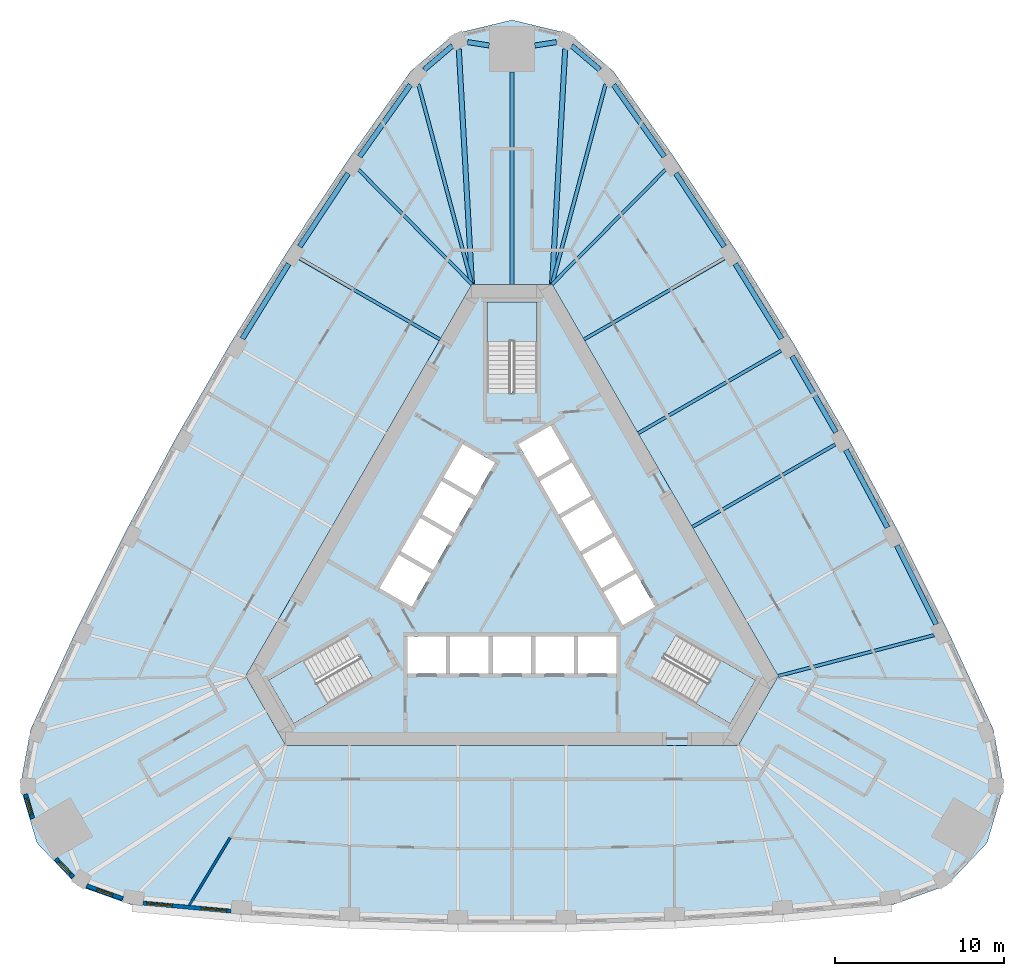
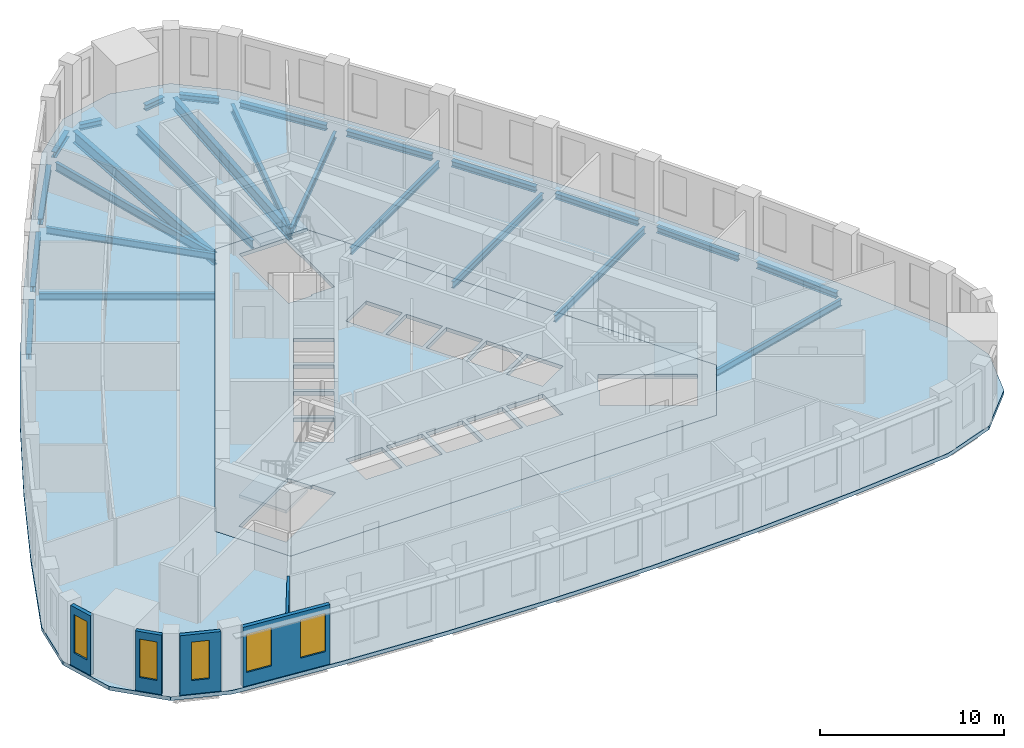
# One storey, part 2 of 10: 25 beams, 5 slabs, 5 walls, 5 windows, 5 openings, 3 elements without a shape of their own.
"""IFC4 building model written with IfcOpenShell, lengths in metres."""

from ifc_helpers import new_model, si_unit, direction, frame, frame_2d, origin, origin_2d, place, context, subcontext, project, spatial, polyline, rectangle, i_section, outline, extrude, material, layer, layer_set, material_profile, profile_set, type_object, element, fill, aggregate, save


model = new_model("IFC4")

# Units and contexts
model_context = context("Model", 3, precision=1e-05, world=origin(), true_north=direction((0.0, 1.0)))
body_context = subcontext(model_context, "Body", "Model", "MODEL_VIEW")
ifc_project = project(units=[si_unit("LENGTHUNIT", "METRE"), si_unit("AREAUNIT", "SQUARE_METRE"), si_unit("VOLUMEUNIT", "CUBIC_METRE"), si_unit("PLANEANGLEUNIT", "RADIAN"), si_unit("MASSUNIT", "GRAM", prefix="KILO")], contexts=[model_context])

# Site, building, storey
site_placement = place(None, origin())
site = spatial("IfcSite", under=ifc_project, at=site_placement, CompositionType="ELEMENT")
building_placement = place(site_placement, origin())
building = spatial("IfcBuilding", under=site, at=building_placement, Name="Mestral Congress Tower", CompositionType="ELEMENT")
storey_placement = place(building_placement, frame((0.0, 0.0, 158.39990234375)))
storey = spatial("IfcBuildingStorey", under=building, at=storey_placement, Name="L37", CompositionType="ELEMENT", Elevation=158.39990234375)

# Beams
ifc_material_1 = material(Name="Steel S355", Category="steel")
ifc_material_profile_1 = material_profile(ifc_material_1, i_section(OverallWidth=0.300048828125, OverallDepth=0.800048828125, WebThickness=0.017578125, FlangeThickness=0.032958984375, FilletRadius=0.030029296875, at=origin_2d()), Name="HEB 800")
ifc_profile_set_1 = profile_set([ifc_material_profile_1], Name="Steel S355")
beam_type_1 = type_object("IfcBeamType", Name="Floor beam HEB 800 S355", PredefinedType="BEAM", material=ifc_profile_set_1)
for number, where, z_axis, x_axis, name in (
    (1, (3.143798828125, 30.703857421875, -0.64990234375), (-0.055769084972, -0.998443693536, 0.0), (0.998443693536, -0.055769084972, 0.0), "BM-L37-RB3-N1"),
    (2, (-3.143798828125, 30.703857421875, -0.64990234375), (0.055769084972, -0.998443693536, 0.0), (0.998443693536, 0.055769084972, 0.0), "BM-L37-RB3-N3"),
):
    element("IfcBeam", number, at=place(storey_placement, frame(where, z_axis=z_axis, x_axis=x_axis)), inside=storey, type_object=beam_type_1, Name=name, PredefinedType="BEAM", context=body_context, shape_type="SweptSolid", body=[
        extrude(i_section(OverallWidth=0.300048828125, OverallDepth=0.800048828125, WebThickness=0.017578125, FlangeThickness=0.032958984375, FilletRadius=0.030029296875, at=origin_2d()), origin(), (0.0, 0.0, 1.0), 13.925537109375),
    ])
ifc_material_profile_2 = material_profile(ifc_material_1, i_section(OverallWidth=0.18994140625, OverallDepth=0.449951171875, WebThickness=0.009521484375, FlangeThickness=0.0146484375, FilletRadius=0.02099609375, at=origin_2d()), Name="IPE 450")
ifc_profile_set_2 = profile_set([ifc_material_profile_2], Name="Steel S355")
beam_type_2 = type_object("IfcBeamType", Name="Floor beam IPE 450 S355", PredefinedType="BEAM", material=ifc_profile_set_2)
beam_1_placement = place(storey_placement, frame((24.938232421875, -3.93505859375, -0.474853515625), z_axis=(-0.967265999603, -0.253764627187, 0.0), x_axis=(0.253764627187, -0.967265999603, 0.0)))
element("IfcBeam", 3, at=beam_1_placement, inside=storey, type_object=beam_type_2, Name="BM-L37-RB3-E01", PredefinedType="BEAM", context=body_context, shape_type="SweptSolid", body=[
    extrude(i_section(OverallWidth=0.18994140625, OverallDepth=0.449951171875, WebThickness=0.009521484375, FlangeThickness=0.0146484375, FilletRadius=0.02099609375, at=origin_2d()), origin(), (0.0, 0.0, 1.0), 9.516845703125),
])
beam_2_placement = place(storey_placement, frame((19.100830078125, 7.332763671875, -0.474853515625), z_axis=(-0.866036015824, -0.499981618958, 0.0), x_axis=(0.499981618958, -0.866036015824, 0.0)))
element("IfcBeam", 4, at=beam_2_placement, inside=storey, type_object=beam_type_2, Name="BM-L37-RB3-E03", PredefinedType="BEAM", context=body_context, shape_type="SweptSolid", body=[
    extrude(i_section(OverallWidth=0.18994140625, OverallDepth=0.449951171875, WebThickness=0.009521484375, FlangeThickness=0.0146484375, FilletRadius=0.02099609375, at=origin_2d()), origin(), (0.0, 0.0, 1.0), 9.758056640625),
])
beam_3_placement = place(storey_placement, frame((15.90087890625, 12.875244140625, -0.474853515625), z_axis=(-0.866025182435, -0.500000383388, 0.0), x_axis=(0.500000383388, -0.866025182435, 0.0)))
element("IfcBeam", 5, at=beam_3_placement, inside=storey, type_object=beam_type_2, Name="BM-L37-RB3-E04", PredefinedType="BEAM", context=body_context, shape_type="SweptSolid", body=[
    extrude(i_section(OverallWidth=0.18994140625, OverallDepth=0.449951171875, WebThickness=0.009521484375, FlangeThickness=0.0146484375, FilletRadius=0.02099609375, at=origin_2d()), origin(), (0.0, 0.0, 1.0), 9.75830078125),
])
beam_4_placement = place(storey_placement, frame((12.532958984375, 18.317138671875, -0.474853515625), z_axis=(-0.866022320763, -0.500005339912, 0.0), x_axis=(0.500005339912, -0.866022320763, 0.0)))
element("IfcBeam", 6, at=beam_4_placement, inside=storey, type_object=beam_type_2, Name="BM-L37-RB3-E05", PredefinedType="BEAM", context=body_context, shape_type="SweptSolid", body=[
    extrude(i_section(OverallWidth=0.18994140625, OverallDepth=0.449951171875, WebThickness=0.009521484375, FlangeThickness=0.0146484375, FilletRadius=0.02099609375, at=origin_2d()), origin(), (0.0, 0.0, 1.0), 9.5625),
])
for number, where, z_axis, x_axis, name in (
    (7, (9.06103515625, 23.564697265625, -0.474853515625), (-0.703377189025, -0.710816804781, 0.0), (0.710816804781, -0.703377189025, 0.0), "BM-L37-RB3-E06"),
    (8, (-9.06103515625, 23.564697265625, -0.474853515625), (0.703377189025, -0.710816804781, 0.0), (0.710816804781, 0.703377189025, 0.0), "BM-L37-RB3-W01"),
):
    element("IfcBeam", number, at=place(storey_placement, frame(where, z_axis=z_axis, x_axis=x_axis)), inside=storey, type_object=beam_type_2, Name=name, PredefinedType="BEAM", context=body_context, shape_type="SweptSolid", body=[
        extrude(i_section(OverallWidth=0.18994140625, OverallDepth=0.449951171875, WebThickness=0.009521484375, FlangeThickness=0.0146484375, FilletRadius=0.02099609375, at=origin_2d()), origin(), (0.0, 0.0, 1.0), 9.516845703125),
    ])
beam_5_placement = place(storey_placement, frame((-12.532958984375, 18.317138671875, -0.474853515625), z_axis=(0.866022320763, -0.500005339912, 0.0), x_axis=(0.500005339912, 0.866022320763, 0.0)))
element("IfcBeam", 9, at=beam_5_placement, inside=storey, type_object=beam_type_2, Name="BM-L37-RB3-W02", PredefinedType="BEAM", context=body_context, shape_type="SweptSolid", body=[
    extrude(i_section(OverallWidth=0.18994140625, OverallDepth=0.449951171875, WebThickness=0.009521484375, FlangeThickness=0.0146484375, FilletRadius=0.02099609375, at=origin_2d()), origin(), (0.0, 0.0, 1.0), 9.5625),
])
ifc_material_profile_3 = material_profile(ifc_material_1, i_section(OverallWidth=0.2099609375, OverallDepth=0.550048828125, WebThickness=0.010986328125, FlangeThickness=0.01708984375, FilletRadius=0.02392578125, at=origin_2d()), Name="IPE 550")
ifc_profile_set_3 = profile_set([ifc_material_profile_3], Name="Steel S355")
beam_type_3 = type_object("IfcBeamType", Name="Floor beam IPE 550 S355", PredefinedType="BEAM", material=ifc_profile_set_3)
beam_6_placement = place(storey_placement, frame((5.5283203125, 28.609375, -0.52490234375), z_axis=(-0.258577363905, -0.965990552167, 0.0), x_axis=(0.965990552167, -0.258577363905, 0.0)))
element("IfcBeam", 10, at=beam_6_placement, inside=storey, type_object=beam_type_3, Name="BM-L37-RB3-E07", PredefinedType="BEAM", context=body_context, shape_type="SweptSolid", body=[
    extrude(i_section(OverallWidth=0.2099609375, OverallDepth=0.550048828125, WebThickness=0.010986328125, FlangeThickness=0.01708984375, FilletRadius=0.02392578125, at=origin_2d()), origin(), (0.0, 0.0, 1.0), 12.22509765625),
])
beam_7_placement = place(storey_placement, frame((0.0, 29.354248046875, -0.52490234375), z_axis=(0.0, -1.0, 0.0), x_axis=(1.0, 0.0, 0.0)))
element("IfcBeam", 11, at=beam_7_placement, inside=storey, type_object=beam_type_3, Name="BM-L37-RB3-N", PredefinedType="BEAM", context=body_context, shape_type="SweptSolid", body=[
    extrude(i_section(OverallWidth=0.2099609375, OverallDepth=0.550048828125, WebThickness=0.010986328125, FlangeThickness=0.01708984375, FilletRadius=0.02392578125, at=origin_2d()), origin(), (0.0, 0.0, 1.0), 12.55419921875),
])
beam_8_placement = place(storey_placement, frame((-5.5283203125, 28.609375, -0.52490234375), z_axis=(0.258577363905, -0.965990552167, 0.0), x_axis=(0.965990552167, 0.258577363905, 0.0)))
element("IfcBeam", 12, at=beam_8_placement, inside=storey, type_object=beam_type_3, Name="BM-L37-RB3-W00", PredefinedType="BEAM", context=body_context, shape_type="SweptSolid", body=[
    extrude(i_section(OverallWidth=0.2099609375, OverallDepth=0.550048828125, WebThickness=0.010986328125, FlangeThickness=0.01708984375, FilletRadius=0.02392578125, at=origin_2d()), origin(), (0.0, 0.0, 1.0), 12.22509765625),
])
ifc_material_profile_4 = material_profile(ifc_material_1, i_section(OverallWidth=0.300048828125, OverallDepth=0.389892578125, WebThickness=0.010986328125, FlangeThickness=0.01904296875, FilletRadius=0.027099609375, at=origin_2d()), Name="HEA 400")
ifc_profile_set_4 = profile_set([ifc_material_profile_4], Name="Steel S355")
beam_type_4 = type_object("IfcBeamType", Name="Spandrel beam HEA 400 S355", PredefinedType="BEAM", material=ifc_profile_set_4)
beam_9_placement = place(storey_placement, frame((25.064453125, -3.294677734375, -0.44482421875), z_axis=(-0.446255467462, 0.894905613884, 0.0), x_axis=(-0.894905613884, -0.446255467462, 0.0)))
element("IfcBeam", 13, at=beam_9_placement, inside=storey, type_object=beam_type_4, Name="SP-L37-SB3-E01", PredefinedType="BEAM", context=body_context, shape_type="SweptSolid", body=[
    extrude(i_section(OverallWidth=0.300048828125, OverallDepth=0.389892578125, WebThickness=0.010986328125, FlangeThickness=0.01904296875, FilletRadius=0.027099609375, at=origin_2d()), origin(), (0.0, 0.0, 1.0), 5.199462890625),
])
for number, where, z_axis, x_axis, name in (
    (14, (22.1923828125, 2.424072265625, -0.44482421875), (-0.473332458078, 0.880883865291, 0.0), (-0.880883865291, -0.473332458078, 0.0), "SP-L37-SB3-E02"),
    (15, (19.147216796875, 8.052490234375, -0.44482421875), (-0.499992051641, 0.866029992723, 0.0), (-0.866029992723, -0.499992051641, 0.0), "SP-L37-SB3-E03"),
):
    element("IfcBeam", number, at=place(storey_placement, frame(where, z_axis=z_axis, x_axis=x_axis)), inside=storey, type_object=beam_type_4, Name=name, PredefinedType="BEAM", context=body_context, shape_type="SweptSolid", body=[
        extrude(i_section(OverallWidth=0.300048828125, OverallDepth=0.389892578125, WebThickness=0.010986328125, FlangeThickness=0.01904296875, FilletRadius=0.027099609375, at=origin_2d()), origin(), (0.0, 0.0, 1.0), 5.19970703125),
    ])
for number, where, z_axis, x_axis, name in (
    (16, (15.931640625, 13.585693359375, -0.44482421875), (-0.526220441006, 0.8503481919, 0.0), (-0.8503481919, -0.526220441006, 0.0), "SP-L37-SB3-E04"),
    (17, (12.548583984375, 19.017822265625, -0.44482421875), (-0.551901475275, 0.833909324561, 0.0), (-0.833909324561, -0.551901475275, 0.0), "SP-L37-SB3-E05"),
):
    element("IfcBeam", number, at=place(storey_placement, frame(where, z_axis=z_axis, x_axis=x_axis)), inside=storey, type_object=beam_type_4, Name=name, PredefinedType="BEAM", context=body_context, shape_type="SweptSolid", body=[
        extrude(i_section(OverallWidth=0.300048828125, OverallDepth=0.389892578125, WebThickness=0.010986328125, FlangeThickness=0.01904296875, FilletRadius=0.027099609375, at=origin_2d()), origin(), (0.0, 0.0, 1.0), 5.199462890625),
    ])
beam_10_placement = place(storey_placement, frame((9.00146484375, 24.34423828125, -0.44482421875), z_axis=(-0.577107284947, 0.816668342512, 0.0), x_axis=(-0.816668342512, -0.577107284947, 0.0)))
element("IfcBeam", 18, at=beam_10_placement, inside=storey, type_object=beam_type_4, Name="SP-L37-SB3-E06", PredefinedType="BEAM", context=body_context, shape_type="SweptSolid", body=[
    extrude(i_section(OverallWidth=0.300048828125, OverallDepth=0.389892578125, WebThickness=0.010986328125, FlangeThickness=0.01904296875, FilletRadius=0.027099609375, at=origin_2d()), origin(), (0.0, 0.0, 1.0), 5.197509765625),
])
beam_11_placement = place(storey_placement, frame((5.191162109375, 29.47509765625, -0.44482421875), z_axis=(-0.761471479234, 0.648198415852, 0.0), x_axis=(-0.648198415852, -0.761471479234, 0.0)))
element("IfcBeam", 19, at=beam_11_placement, inside=storey, type_object=beam_type_4, Name="SP-L37-SB3-E07", PredefinedType="BEAM", context=body_context, shape_type="SweptSolid", body=[
    extrude(i_section(OverallWidth=0.300048828125, OverallDepth=0.389892578125, WebThickness=0.010986328125, FlangeThickness=0.01904296875, FilletRadius=0.027099609375, at=origin_2d()), origin(), (0.0, 0.0, 1.0), 2.189697265625),
])
for number, where, z_axis, x_axis, name in (
    (20, (2.62353515625, 31.10986328125, -0.44482421875), (-0.988242111203, -0.152897121116, 0.0), (0.152897121116, -0.988242111203, 0.0), "SP-L37-SB3-N1"),
    (21, (-1.35009765625, 30.912841796875, -0.44482421875), (-0.988242111203, 0.152897121116, 0.0), (-0.152897121116, -0.988242111203, 0.0), "SP-L37-SB3-N"),
):
    element("IfcBeam", number, at=place(storey_placement, frame(where, z_axis=z_axis, x_axis=x_axis)), inside=storey, type_object=beam_type_4, Name=name, PredefinedType="BEAM", context=body_context, shape_type="SweptSolid", body=[
        extrude(i_section(OverallWidth=0.300048828125, OverallDepth=0.389892578125, WebThickness=0.010986328125, FlangeThickness=0.01904296875, FilletRadius=0.027099609375, at=origin_2d()), origin(), (0.0, 0.0, 1.0), 1.28857421875),
    ])
beam_12_placement = place(storey_placement, frame((-3.523681640625, 30.89453125, -0.44482421875), z_axis=(-0.761471479234, -0.648198415852, 0.0), x_axis=(0.648198415852, -0.761471479234, 0.0)))
element("IfcBeam", 22, at=beam_12_placement, inside=storey, type_object=beam_type_4, Name="SP-L37-SB3-N3", PredefinedType="BEAM", context=body_context, shape_type="SweptSolid", body=[
    extrude(i_section(OverallWidth=0.300048828125, OverallDepth=0.389892578125, WebThickness=0.010986328125, FlangeThickness=0.01904296875, FilletRadius=0.027099609375, at=origin_2d()), origin(), (0.0, 0.0, 1.0), 2.189697265625),
])
beam_13_placement = place(storey_placement, frame((-6.001953125, 28.5888671875, -0.44482421875), z_axis=(-0.577107284947, -0.816668342512, 0.0), x_axis=(0.816668342512, -0.577107284947, 0.0)))
element("IfcBeam", 23, at=beam_13_placement, inside=storey, type_object=beam_type_4, Name="SP-L37-SB3-W00", PredefinedType="BEAM", context=body_context, shape_type="SweptSolid", body=[
    extrude(i_section(OverallWidth=0.300048828125, OverallDepth=0.389892578125, WebThickness=0.010986328125, FlangeThickness=0.01904296875, FilletRadius=0.027099609375, at=origin_2d()), origin(), (0.0, 0.0, 1.0), 5.197509765625),
])
for number, where, z_axis, x_axis, name in (
    (24, (-9.678955078125, 23.353759765625, -0.44482421875), (-0.551901475275, -0.833909324561, 0.0), (0.833909324561, -0.551901475275, 0.0), "SP-L37-SB3-W01"),
    (25, (-13.195556640625, 18.007080078125, -0.44482421875), (-0.526220441006, -0.8503481919, 0.0), (0.8503481919, -0.526220441006, 0.0), "SP-L37-SB3-W02"),
):
    element("IfcBeam", number, at=place(storey_placement, frame(where, z_axis=z_axis, x_axis=x_axis)), inside=storey, type_object=beam_type_4, Name=name, PredefinedType="BEAM", context=body_context, shape_type="SweptSolid", body=[
        extrude(i_section(OverallWidth=0.300048828125, OverallDepth=0.389892578125, WebThickness=0.010986328125, FlangeThickness=0.01904296875, FilletRadius=0.027099609375, at=origin_2d()), origin(), (0.0, 0.0, 1.0), 5.199462890625),
    ])

# Slabs
ifc_material_2 = material(Name="Concrete C35/45", Category="concrete")
ifc_layer_1 = layer(ifc_material_2, 0.25)
ifc_layer_set_1 = layer_set([ifc_layer_1], Name="Concrete C35/45")
slab_type_1 = type_object("IfcSlabType", Name="Composite floor slab 250", PredefinedType="FLOOR", material=ifc_layer_set_1)
placement_1 = place(storey_placement, frame((0.0, 0.0, -0.25)))
element("IfcSlab", 26, at=placement_1, inside=storey, type_object=slab_type_1, Name="SL-L37", PredefinedType="FLOOR", context=body_context, shape_type="SweptSolid", body=[
    extrude(outline(polyline([(-22.455078125, -19.880126953125), (-25.68212890625, -18.731689453125), (-28.073974609375, -16.20849609375), (-29.06298828125, -12.87548828125), (-28.444091796875, -9.506591796875), (-25.73779296875, -3.63720703125), (-22.8759765625, 2.1025390625), (-19.84033203125, 7.751953125), (-16.633544921875, 13.30615234375), (-13.2587890625, 18.760009765625), (-9.71923828125, 24.1083984375), (-5.9892578125, 29.38671875), (-3.381103515625, 31.607177734375), (0.0, 32.4169921875), (3.381103515625, 31.607177734375), (5.9892578125, 29.38671875), (9.71923828125, 24.1083984375), (13.2587890625, 18.760009765625), (16.633544921875, 13.30615234375), (19.84033203125, 7.751953125), (22.8759765625, 2.1025390625), (25.73779296875, -3.63720703125), (28.444091796875, -9.506591796875), (29.06298828125, -12.87548828125), (28.073974609375, -16.20849609375), (25.68212890625, -18.731689453125), (22.455078125, -19.880126953125), (16.018798828125, -20.47119140625), (9.6171875, -20.862548828125), (3.206787109375, -21.05810546875), (-3.206787109375, -21.05810546875), (-9.6171875, -20.862548828125), (-16.018798828125, -20.47119140625), (-22.455078125, -19.880126953125)]), holes=[polyline([(-2.3671875, 16.800048828125), (-15.73291015625, -6.35009765625), (-13.36572265625, -10.449951171875), (13.36572265625, -10.449951171875), (15.73291015625, -6.35009765625), (2.3671875, 16.800048828125), (-2.3671875, 16.800048828125)])]), origin(), (0.0, 0.0, 1.0), 0.25),
])
ifc_material_3 = material(Name="Concrete C60/75", Category="concrete")
ifc_layer_2 = layer(ifc_material_3, 0.25)
ifc_layer_set_2 = layer_set([ifc_layer_2], Name="Concrete C60/75")
slab_type_2 = type_object("IfcSlabType", Name="Core floor slab RC 250", PredefinedType="FLOOR", material=ifc_layer_set_2)
element("IfcSlab", 27, at=placement_1, inside=storey, type_object=slab_type_2, Name="L37 core floor", PredefinedType="FLOOR", context=body_context, shape_type="SweptSolid", body=[
    extrude(outline(polyline([(13.36572265625, -10.449951171875), (-13.36572265625, -10.449951171875), (-15.73291015625, -6.35009765625), (-2.3671875, 16.800048828125), (2.3671875, 16.800048828125), (15.73291015625, -6.35009765625), (13.36572265625, -10.449951171875)]), holes=[polyline([(-9.8046875, -3.95751953125), (-14.37744140625, -6.59765625), (-12.90234375, -9.15234375), (-8.234619140625, -6.45751953125), (-8.971923828125, -5.179931640625), (-9.0673828125, -5.235107421875), (-9.8046875, -3.95751953125)]), polyline([(-3.905029296875, -4.0), (-6.175048828125, -4.0), (-6.175048828125, -6.199951171875), (-3.905029296875, -6.199951171875), (-3.905029296875, -4.0)]), polyline([(-1.385009765625, -4.0), (-3.655029296875, -4.0), (-3.655029296875, -6.199951171875), (-1.385009765625, -6.199951171875), (-1.385009765625, -4.0)]), polyline([(1.135009765625, -4.0), (-1.135009765625, -4.0), (-1.135009765625, -6.199951171875), (1.135009765625, -6.199951171875), (1.135009765625, -4.0)]), polyline([(-5.921630859375, -2.256591796875), (-4.78662109375, -0.29052734375), (-6.69189453125, 0.809326171875), (-7.826904296875, -1.156494140625), (-5.921630859375, -2.256591796875)]), polyline([(-4.66162109375, -0.07421875), (-3.526611328125, 1.8916015625), (-5.431884765625, 2.99169921875), (-6.56689453125, 1.02587890625), (-4.66162109375, -0.07421875)]), polyline([(-3.401611328125, 2.1083984375), (-2.2666015625, 4.07421875), (-4.171875, 5.174072265625), (-5.306884765625, 3.208251953125), (-3.401611328125, 2.1083984375)]), polyline([(-2.1416015625, 4.29052734375), (-1.006591796875, 6.256591796875), (-2.911865234375, 7.3564453125), (-4.046875, 5.390625), (-2.1416015625, 4.29052734375)]), polyline([(1.47509765625, 10.469970703125), (1.47509765625, 15.75), (-1.47509765625, 15.75), (-1.47509765625, 10.360107421875), (0.0, 10.360107421875), (0.0, 10.469970703125), (1.47509765625, 10.469970703125)]), polyline([(8.329833984375, -6.512451171875), (12.90234375, -9.15234375), (14.37744140625, -6.59765625), (9.70947265625, -3.902587890625), (8.971923828125, -5.179931640625), (9.0673828125, -5.235107421875), (8.329833984375, -6.512451171875)]), polyline([(3.655029296875, -4.0), (1.385009765625, -4.0), (1.385009765625, -6.199951171875), (3.655029296875, -6.199951171875), (3.655029296875, -4.0)]), polyline([(6.175048828125, -4.0), (3.905029296875, -4.0), (3.905029296875, -6.199951171875), (6.175048828125, -6.199951171875), (6.175048828125, -4.0)]), polyline([(5.41650390625, -1.3818359375), (6.551513671875, -3.34765625), (8.456787109375, -2.247802734375), (7.322021484375, -0.28173828125), (5.41650390625, -1.3818359375)]), polyline([(4.156494140625, 0.800537109375), (5.29150390625, -1.165283203125), (7.197021484375, -0.065185546875), (6.06201171875, 1.900634765625), (4.156494140625, 0.800537109375)]), polyline([(2.896484375, 2.98291015625), (4.031494140625, 1.01708984375), (5.93701171875, 2.1171875), (4.802001953125, 4.0830078125), (2.896484375, 2.98291015625)]), polyline([(3.5419921875, 6.265380859375), (1.63671875, 5.165283203125), (2.771484375, 3.199462890625), (4.677001953125, 4.29931640625), (3.5419921875, 6.265380859375)]), polyline([(2.281982421875, 8.44775390625), (0.376708984375, 7.34765625), (1.51171875, 5.3818359375), (3.4169921875, 6.481689453125), (2.281982421875, 8.44775390625)])]), origin(), (0.0, 0.0, 1.0), 0.25),
])

# Stair, slab
stair_type = type_object("IfcStairType", Name="Exit stair 1400", PredefinedType="HALF_TURN_STAIR", material=ifc_material_3)
placement_2 = place(storey_placement, origin())
stair_1 = element("IfcStair", 28, at=placement_2, inside=storey, type_object=stair_type, Name="L37 ST1", PredefinedType="HALF_TURN_STAIR")
ifc_layer_3 = layer(ifc_material_3, 0.199951171875)
ifc_layer_set_3 = layer_set([ifc_layer_3], Name="Concrete C60/75")
slab_type_3 = type_object("IfcSlabType", Name="Exit stair landing 200", PredefinedType="LANDING", material=ifc_layer_set_3)
placement_3 = place(storey_placement, frame((0.0, 0.0, 1.900146484375)))
slab_3 = element("IfcSlab", 29, at=placement_3, type_object=slab_type_3, Name="ST1 landing 1", PredefinedType="LANDING", context=body_context, shape_type="SweptSolid", body=[
    extrude(outline(polyline([(10.879638671875, -7.99609375), (12.364501953125, -5.424072265625), (14.39111328125, -6.593994140625), (12.906005859375, -9.166015625), (10.879638671875, -7.99609375)])), origin(), (0.0, 0.0, 1.0), 0.199951171875),
])
aggregate(stair_1, [slab_3])

stair_2 = element("IfcStair", 30, at=placement_2, inside=storey, type_object=stair_type, Name="L37 ST2", PredefinedType="HALF_TURN_STAIR")
slab_4 = element("IfcSlab", 31, at=placement_3, type_object=slab_type_3, Name="ST2 landing 1", PredefinedType="LANDING", context=body_context, shape_type="SweptSolid", body=[
    extrude(outline(polyline([(1.485107421875, 13.419921875), (-1.485107421875, 13.419921875), (-1.485107421875, 15.760009765625), (1.485107421875, 15.760009765625), (1.485107421875, 13.419921875)])), origin(), (0.0, 0.0, 1.0), 0.199951171875),
])
aggregate(stair_2, [slab_4])

stair_3 = element("IfcStair", 32, at=placement_2, inside=storey, type_object=stair_type, Name="L37 ST3", PredefinedType="HALF_TURN_STAIR")
slab_5 = element("IfcSlab", 33, at=placement_3, type_object=slab_type_3, Name="ST3 landing 1", PredefinedType="LANDING", context=body_context, shape_type="SweptSolid", body=[
    extrude(outline(polyline([(-12.364501953125, -5.424072265625), (-10.879638671875, -7.99609375), (-12.906005859375, -9.166015625), (-14.39111328125, -6.593994140625), (-12.364501953125, -5.424072265625)])), origin(), (0.0, 0.0, 1.0), 0.199951171875),
])
aggregate(stair_3, [slab_5])

# Wall, openings, windows
ifc_material_4 = material(Name="Precast concrete C40/50 with limestone facing", Category="masonry")
ifc_layer_4 = layer(ifc_material_4, 0.239990234375)
ifc_layer_set_4 = layer_set([ifc_layer_4], Name="Precast concrete C40/50 with limestone facing")
wall_type_1 = type_object("IfcWallType", Name="Facade stone wall 240", PredefinedType="SOLIDWALL", material=ifc_layer_set_4)
wall_1_placement = place(storey_placement, frame((-21.797119140625, -19.769775390625, 0.0), z_axis=(0.0, 0.0, 1.0), x_axis=(0.995808712151, -0.091460422067, 0.0)))
wall_1 = element("IfcWall", 34, at=wall_1_placement, inside=storey, type_object=wall_type_1, Name="Facade wall F0-00", PredefinedType="SOLIDWALL", context=body_context, shape_type="SweptSolid", body=[
    extrude(rectangle(XDim=5.213134765625, YDim=0.239990234375, at=frame_2d((2.6064453125, 0.0))), origin(), (0.0, 0.0, 1.0), 3.9501953125),
])
opening_1_placement = place(wall_1_placement, frame((0.220947265625, 0.0, 0.89990234375)))
opening_1 = element("IfcOpeningElement", 35, at=opening_1_placement, cuts=wall_1, Name="Opening W4", PredefinedType="OPENING", context=body_context, shape_type="SweptSolid", body=[
    extrude(rectangle(XDim=1.5, YDim=2.550048828125, at=frame_2d((0.75, 1.27490234375))), frame((0.0, 0.1298828125, 0.0), z_axis=(0.0, -1.0, 0.0), x_axis=(1.0, 0.0, 0.0)), (0.0, 0.0, 1.0), 0.260009765625),
])
opening_2_placement = place(wall_1_placement, frame((3.452392578125, 0.0, 0.89990234375)))
opening_2 = element("IfcOpeningElement", 36, at=opening_2_placement, cuts=wall_1, Name="Opening W4", PredefinedType="OPENING", context=body_context, shape_type="SweptSolid", body=[
    extrude(rectangle(XDim=1.5, YDim=2.550048828125, at=frame_2d((0.75, 1.27490234375))), frame((0.0, 0.1298828125, 0.0), z_axis=(0.0, -1.0, 0.0), x_axis=(1.0, 0.0, 0.0)), (0.0, 0.0, 1.0), 0.260009765625),
])
ifc_material_5 = material(Name="Clear low-emissivity double glazing", Category="glass")
window_type_1 = type_object("IfcWindowType", Name="Facade punched window 1500 x 2550 sill 900", PartitioningType="SINGLE_PANEL", PredefinedType="WINDOW", material=ifc_material_5)
window_1_placement = place(opening_1_placement, origin())
window_1 = element("IfcWindow", 37, at=window_1_placement, inside=storey, type_object=window_type_1, Name="Window F0-00a", OverallHeight=2.550048828125, OverallWidth=1.5, PartitioningType="SINGLE_PANEL", PredefinedType="WINDOW", context=body_context, shape_type="SweptSolid", body=[
    extrude(rectangle(XDim=1.5, YDim=2.550048828125, at=frame_2d((0.75, 1.27490234375))), frame((0.0, 0.0400390625, 0.0), z_axis=(0.0, -1.0, 0.0), x_axis=(1.0, 0.0, 0.0)), (0.0, 0.0, 1.0), 0.06005859375),
])
fill(opening_1, window_1)
window_2_placement = place(opening_2_placement, origin())
window_2 = element("IfcWindow", 38, at=window_2_placement, inside=storey, type_object=window_type_1, Name="Window F0-00b", OverallHeight=2.550048828125, OverallWidth=1.5, PartitioningType="SINGLE_PANEL", PredefinedType="WINDOW", context=body_context, shape_type="SweptSolid", body=[
    extrude(rectangle(XDim=1.5, YDim=2.550048828125, at=frame_2d((0.75, 1.27490234375))), frame((0.0, 0.0400390625, 0.0), z_axis=(0.0, -1.0, 0.0), x_axis=(1.0, 0.0, 0.0)), (0.0, 0.0, 1.0), 0.06005859375),
])
fill(opening_2, window_2)

# Wall, opening, window
wall_2_placement = place(storey_placement, frame((-28.747802734375, -13.340087890625, 0.0), z_axis=(0.0, 0.0, 1.0), x_axis=(0.284413721403, -0.958701640281, 0.0)))
wall_2 = element("IfcWall", 39, at=wall_2_placement, inside=storey, type_object=wall_type_1, Name="Facade wall K2-1", PredefinedType="SOLIDWALL", context=body_context, shape_type="SweptSolid", body=[
    extrude(rectangle(XDim=1.481689453125, YDim=0.239990234375, at=frame_2d((0.74072265625, 0.0))), origin(), (0.0, 0.0, 1.0), 3.9501953125),
])
opening_3_placement = place(wall_2_placement, frame((0.24072265625, 0.0, 0.89990234375)))
opening_3 = element("IfcOpeningElement", 40, at=opening_3_placement, cuts=wall_2, Name="Opening W5", PredefinedType="OPENING", context=body_context, shape_type="SweptSolid", body=[
    extrude(rectangle(XDim=1.0, YDim=2.550048828125, at=frame_2d((0.5, 1.27490234375))), frame((0.0, 0.1298828125, 0.0), z_axis=(0.0, -1.0, 0.0), x_axis=(1.0, 0.0, 0.0)), (0.0, 0.0, 1.0), 0.260009765625),
])
window_type_2 = type_object("IfcWindowType", Name="Facade punched window 1000 x 2550 sill 900", PartitioningType="SINGLE_PANEL", PredefinedType="WINDOW", material=ifc_material_5)
window_3_placement = place(opening_3_placement, origin())
window_3 = element("IfcWindow", 41, at=window_3_placement, inside=storey, type_object=window_type_2, Name="Window K2-1", OverallHeight=2.550048828125, OverallWidth=1.0, PartitioningType="SINGLE_PANEL", PredefinedType="WINDOW", context=body_context, shape_type="SweptSolid", body=[
    extrude(rectangle(XDim=1.0, YDim=2.550048828125, at=frame_2d((0.5, 1.27490234375))), frame((0.0, 0.0400390625, 0.0), z_axis=(0.0, -1.0, 0.0), x_axis=(1.0, 0.0, 0.0)), (0.0, 0.0, 1.0), 0.06005859375),
])
fill(opening_3, window_3)

wall_3_placement = place(storey_placement, frame((-26.946044921875, -17.151123046875, 0.0), z_axis=(0.0, 0.0, 1.0), x_axis=(0.687986858937, -0.725723144133, 0.0)))
wall_3 = element("IfcWall", 42, at=wall_3_placement, inside=storey, type_object=wall_type_1, Name="Facade wall K2-2", PredefinedType="SOLIDWALL", context=body_context, shape_type="SweptSolid", body=[
    extrude(rectangle(XDim=1.4814453125, YDim=0.239990234375, at=frame_2d((0.74072265625, 0.0))), origin(), (0.0, 0.0, 1.0), 3.9501953125),
])
opening_4_placement = place(wall_3_placement, frame((0.24072265625, 0.0, 0.89990234375)))
opening_4 = element("IfcOpeningElement", 43, at=opening_4_placement, cuts=wall_3, Name="Opening W5", PredefinedType="OPENING", context=body_context, shape_type="SweptSolid", body=[
    extrude(rectangle(XDim=1.0, YDim=2.550048828125, at=frame_2d((0.5, 1.27490234375))), frame((0.0, 0.1298828125, 0.0), z_axis=(0.0, -1.0, 0.0), x_axis=(1.0, 0.0, 0.0)), (0.0, 0.0, 1.0), 0.260009765625),
])
window_4_placement = place(opening_4_placement, origin())
window_4 = element("IfcWindow", 44, at=window_4_placement, inside=storey, type_object=window_type_2, Name="Window K2-2", OverallHeight=2.550048828125, OverallWidth=1.0, PartitioningType="SINGLE_PANEL", PredefinedType="WINDOW", context=body_context, shape_type="SweptSolid", body=[
    extrude(rectangle(XDim=1.0, YDim=2.550048828125, at=frame_2d((0.5, 1.27490234375))), frame((0.0, 0.0400390625, 0.0), z_axis=(0.0, -1.0, 0.0), x_axis=(1.0, 0.0, 0.0)), (0.0, 0.0, 1.0), 0.06005859375),
])
fill(opening_4, window_4)

wall_4_placement = place(storey_placement, frame((-25.12109375, -18.750732421875, 0.0), z_axis=(0.0, 0.0, 1.0), x_axis=(0.942099727267, -0.335332825539, 0.0)))
wall_4 = element("IfcWall", 45, at=wall_4_placement, inside=storey, type_object=wall_type_1, Name="Facade wall K2-3", PredefinedType="SOLIDWALL", context=body_context, shape_type="SweptSolid", body=[
    extrude(rectangle(XDim=2.25048828125, YDim=0.239990234375, at=frame_2d((1.125244140625, 0.0))), origin(), (0.0, 0.0, 1.0), 3.9501953125),
])
opening_5_placement = place(wall_4_placement, frame((0.625244140625, 0.0, 0.89990234375)))
opening_5 = element("IfcOpeningElement", 46, at=opening_5_placement, cuts=wall_4, Name="Opening W5", PredefinedType="OPENING", context=body_context, shape_type="SweptSolid", body=[
    extrude(rectangle(XDim=1.0, YDim=2.550048828125, at=frame_2d((0.5, 1.27490234375))), frame((0.0, 0.1298828125, 0.0), z_axis=(0.0, -1.0, 0.0), x_axis=(1.0, 0.0, 0.0)), (0.0, 0.0, 1.0), 0.260009765625),
])
window_5_placement = place(opening_5_placement, origin())
window_5 = element("IfcWindow", 47, at=window_5_placement, inside=storey, type_object=window_type_2, Name="Window K2-3", OverallHeight=2.550048828125, OverallWidth=1.0, PartitioningType="SINGLE_PANEL", PredefinedType="WINDOW", context=body_context, shape_type="SweptSolid", body=[
    extrude(rectangle(XDim=1.0, YDim=2.550048828125, at=frame_2d((0.5, 1.27490234375))), frame((0.0, 0.0400390625, 0.0), z_axis=(0.0, -1.0, 0.0), x_axis=(1.0, 0.0, 0.0)), (0.0, 0.0, 1.0), 0.06005859375),
])
fill(opening_5, window_5)

# Wall
ifc_material_6 = material(Name="Plasterboard partition on steel studs", Category="steel")
ifc_layer_5 = layer(ifc_material_6, 0.14990234375)
ifc_layer_set_5 = layer_set([ifc_layer_5], Name="Plasterboard partition on steel studs")
wall_type_2 = type_object("IfcWallType", Name="Office partition 150", PredefinedType="PARTITIONING", material=ifc_layer_set_5)
wall_5_placement = place(storey_placement, frame((-16.655517578125, -15.89990234375, 0.0), z_axis=(0.0, 0.0, 1.0), x_axis=(-0.516845255261, -0.856078841062, 0.0)))
element("IfcWall", 48, at=wall_5_placement, inside=storey, type_object=wall_type_2, Name="Partition", PredefinedType="PARTITIONING", context=body_context, shape_type="SweptSolid", body=[
    extrude(rectangle(XDim=4.672119140625, YDim=0.14990234375, at=frame_2d((2.3359375, 0.0))), origin(), (0.0, 0.0, 1.0), 3.150146484375),
])

save(model, "model.ifc")
